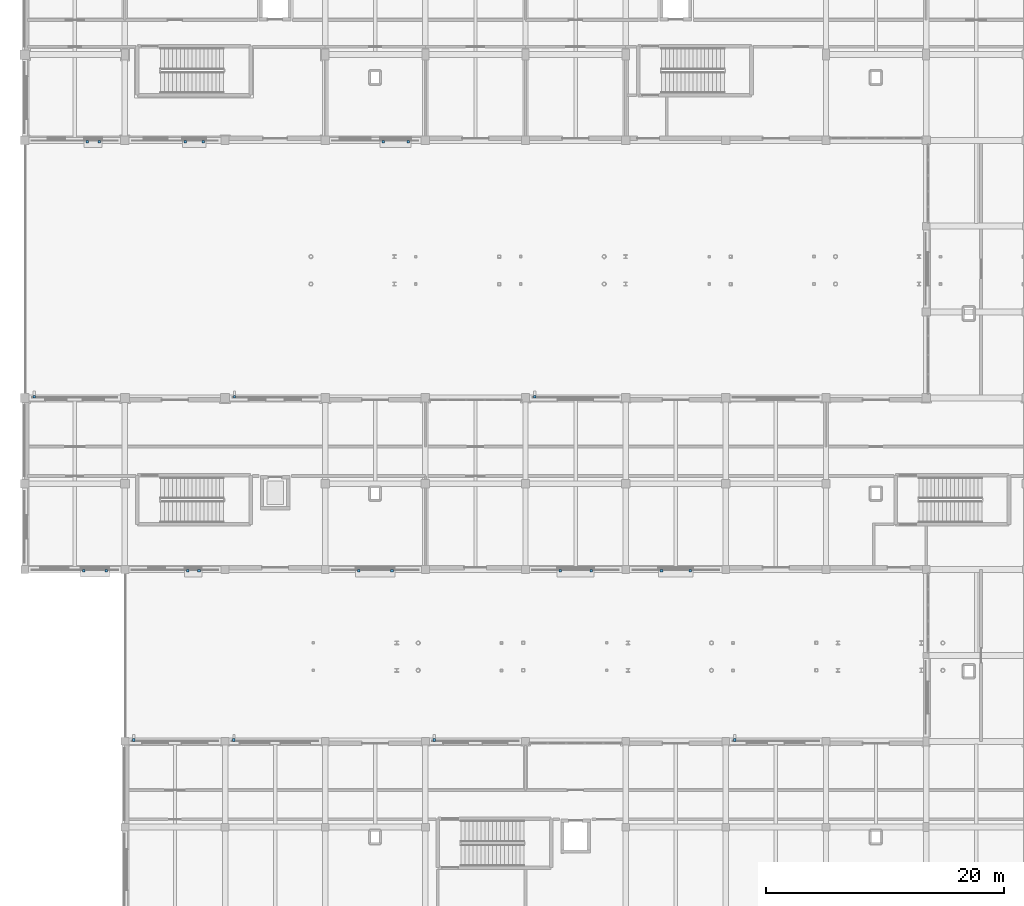
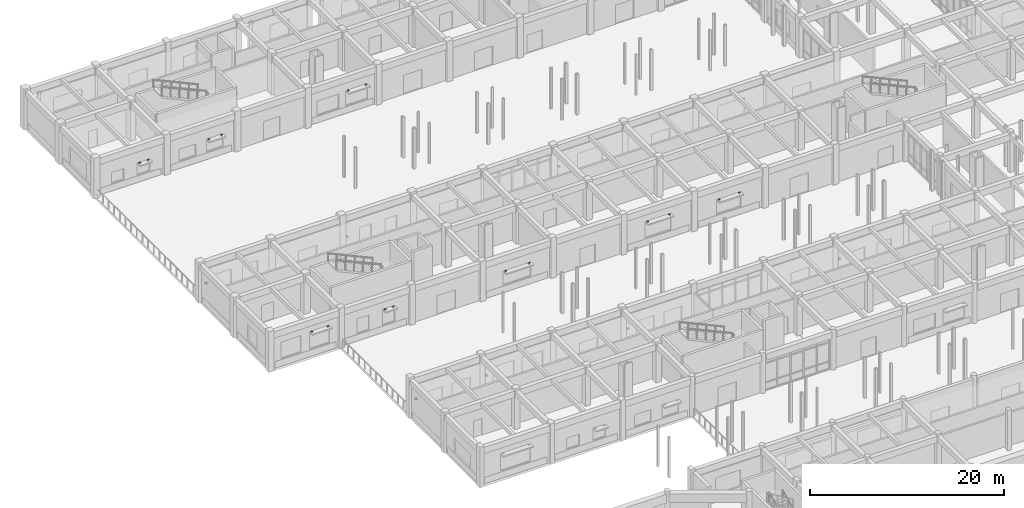
# One storey, part 95 of 121: 23 discrete accessories.
"""IFC4 building model written with IfcOpenShell, lengths in metres."""

from ifc_helpers import new_model, si_unit, direction, frame, origin, origin_2d, place, context, subcontext, project, spatial, rectangle, extrude, material, type_object, element, save


model = new_model("IFC4")

# Units and contexts
model_context = context("Model", 3, precision=1e-05, world=origin(), true_north=direction((0.0, 1.0)))
body_context = subcontext(model_context, "Body", "Model", "MODEL_VIEW")
ifc_project = project(units=[si_unit("LENGTHUNIT", "METRE"), si_unit("AREAUNIT", "SQUARE_METRE"), si_unit("VOLUMEUNIT", "CUBIC_METRE"), si_unit("PLANEANGLEUNIT", "RADIAN"), si_unit("MASSUNIT", "GRAM", prefix="KILO")], contexts=[model_context])

# Site, building, storey
site_placement = place(None, origin())
site = spatial("IfcSite", under=ifc_project, at=site_placement, CompositionType="ELEMENT")
building_placement = place(site_placement, origin())
building = spatial("IfcBuilding", under=site, at=building_placement, Name="Malvenik Polytechnic", CompositionType="ELEMENT")
storey_placement = place(building_placement, origin())
storey = spatial("IfcBuildingStorey", under=building, at=storey_placement, Name="L00", CompositionType="ELEMENT", Elevation=0.0)

# Discrete accessories
ifc_material = material(Name="Stainless steel 1.4401 thermal-break facade bracket", Category="steel")
discrete_accessory_type = type_object("IfcDiscreteAccessoryType", Name="ARC-ACC-BRACKET", PredefinedType="BRACKET", material=ifc_material)
for number, where, z_axis, x_axis, name in (
    (1, (9.14306640625, 64.89990234375, 1.75), (0.0, 0.0, 1.0), (1.0, 0.0, 0.0), "Vertical Fin Bracket BK-01 #4"),
    (2, (17.54296875, 64.89990234375, 1.75), (0.0, 0.0, 1.0), (1.0, 0.0, 0.0), "Vertical Fin Bracket BK-01 #5"),
    (3, (34.343017578125, 64.89990234375, 1.75), (0.0, 0.0, 1.0), (1.0, 0.0, 0.0), "Vertical Fin Bracket BK-01 #6"),
    (4, (59.54296875, 64.89990234375, 1.75), (0.0, 0.0, 1.0), (1.0, 0.0, 0.0), "Vertical Fin Bracket BK-01 #7"),
):
    element("IfcDiscreteAccessory", number, at=place(storey_placement, frame(where, z_axis=z_axis, x_axis=x_axis)), inside=storey, type_object=discrete_accessory_type, Name=name, PredefinedType="BRACKET", context=body_context, shape_type="SweptSolid", body=[
        extrude(rectangle(XDim=0.199951171875, YDim=0.239990234375, at=origin_2d()), origin(), (0.0, 0.0, 1.0), 0.199951171875),
    ])
for number, where, z_axis, x_axis, name in (
    (5, (55.800048828125, 79.10009765625, 2.68994140625), (0.0, 0.0, 1.0), (1.0, 0.0, 0.0), "Sunshade Facade Bracket BK-01 #6.1"),
    (6, (53.39990234375, 79.10009765625, 2.68994140625), (0.0, 0.0, 1.0), (1.0, 0.0, 0.0), "Sunshade Facade Bracket BK-01 #6.2"),
    (7, (47.5, 79.10009765625, 2.89013671875), (0.0, 0.0, 1.0), (1.0, 0.0, 0.0), "Sunshade Facade Bracket BK-01 #7.1"),
    (8, (44.89990234375, 79.10009765625, 2.89013671875), (0.0, 0.0, 1.0), (1.0, 0.0, 0.0), "Sunshade Facade Bracket BK-01 #7.2"),
    (9, (30.800048828125, 79.10009765625, 2.58984375), (0.0, 0.0, 1.0), (1.0, 0.0, 0.0), "Sunshade Facade Bracket BK-01 #8.1"),
    (10, (28.0, 79.10009765625, 2.58984375), (0.0, 0.0, 1.0), (1.0, 0.0, 0.0), "Sunshade Facade Bracket BK-01 #8.2"),
    (11, (14.60888671875, 79.10009765625, 2.7900390625), (0.0, 0.0, 1.0), (1.0, 0.0, 0.0), "Sunshade Facade Bracket BK-01 #9.1"),
    (12, (13.658935546875, 79.10009765625, 2.7900390625), (0.0, 0.0, 1.0), (1.0, 0.0, 0.0), "Sunshade Facade Bracket BK-01 #9.2"),
    (13, (6.84228515625, 79.10009765625, 3.0400390625), (0.0, 0.0, 1.0), (1.0, 0.0, 0.0), "Sunshade Facade Bracket BK-01 #10.1"),
    (14, (4.9423828125, 79.10009765625, 3.0400390625), (0.0, 0.0, 1.0), (1.0, 0.0, 0.0), "Sunshade Facade Bracket BK-01 #10.2"),
):
    element("IfcDiscreteAccessory", number, at=place(storey_placement, frame(where, z_axis=z_axis, x_axis=x_axis)), inside=storey, type_object=discrete_accessory_type, Name=name, PredefinedType="BRACKET", context=body_context, shape_type="SweptSolid", body=[
        extrude(rectangle(XDim=0.219970703125, YDim=0.219970703125, at=origin_2d()), origin(), (0.0, 0.0, 1.0), 0.179931640625),
    ])
for number, where, z_axis, x_axis, name in (
    (15, (0.79296875, 93.699951171875, 1.75), (0.0, 0.0, 1.0), (1.0, 0.0, 0.0), "Vertical Fin Bracket BK-01 #8"),
    (16, (17.593017578125, 93.699951171875, 1.75), (0.0, 0.0, 1.0), (1.0, 0.0, 0.0), "Vertical Fin Bracket BK-01 #9"),
    (17, (42.76806640625, 93.699951171875, 1.75), (0.0, 0.0, 1.0), (1.0, 0.0, 0.0), "Vertical Fin Bracket BK-01 #10"),
):
    element("IfcDiscreteAccessory", number, at=place(storey_placement, frame(where, z_axis=z_axis, x_axis=x_axis)), inside=storey, type_object=discrete_accessory_type, Name=name, PredefinedType="BRACKET", context=body_context, shape_type="SweptSolid", body=[
        extrude(rectangle(XDim=0.199951171875, YDim=0.239990234375, at=origin_2d()), origin(), (0.0, 0.0, 1.0), 0.199951171875),
    ])
for number, where, z_axis, x_axis, name in (
    (18, (32.152099609375, 115.10009765625, 2.740234375), (0.0, 0.0, 1.0), (1.0, 0.0, 0.0), "Sunshade Facade Bracket BK-01 #11.1"),
    (19, (30.052001953125, 115.10009765625, 2.740234375), (0.0, 0.0, 1.0), (1.0, 0.0, 0.0), "Sunshade Facade Bracket BK-01 #11.2"),
    (20, (14.96728515625, 115.10009765625, 2.43994140625), (0.0, 0.0, 1.0), (1.0, 0.0, 0.0), "Sunshade Facade Bracket BK-01 #12.1"),
    (21, (13.46728515625, 115.10009765625, 2.43994140625), (0.0, 0.0, 1.0), (1.0, 0.0, 0.0), "Sunshade Facade Bracket BK-01 #12.2"),
    (22, (6.23388671875, 115.10009765625, 2.33984375), (0.0, 0.0, 1.0), (1.0, 0.0, 0.0), "Sunshade Facade Bracket BK-01 #13.1"),
    (23, (5.23388671875, 115.10009765625, 2.33984375), (0.0, 0.0, 1.0), (1.0, 0.0, 0.0), "Sunshade Facade Bracket BK-01 #13.2"),
):
    element("IfcDiscreteAccessory", number, at=place(storey_placement, frame(where, z_axis=z_axis, x_axis=x_axis)), inside=storey, type_object=discrete_accessory_type, Name=name, PredefinedType="BRACKET", context=body_context, shape_type="SweptSolid", body=[
        extrude(rectangle(XDim=0.219970703125, YDim=0.219970703125, at=origin_2d()), origin(), (0.0, 0.0, 1.0), 0.179931640625),
    ])

save(model, "model.ifc")
